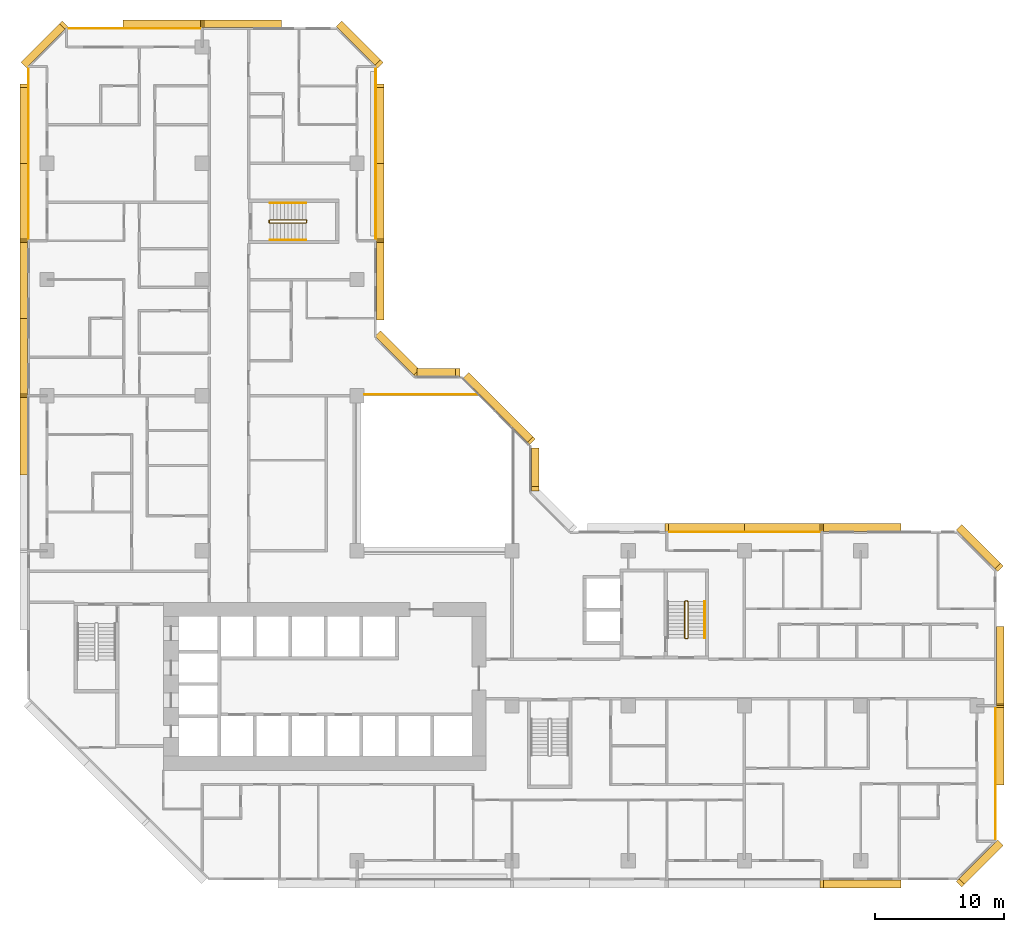
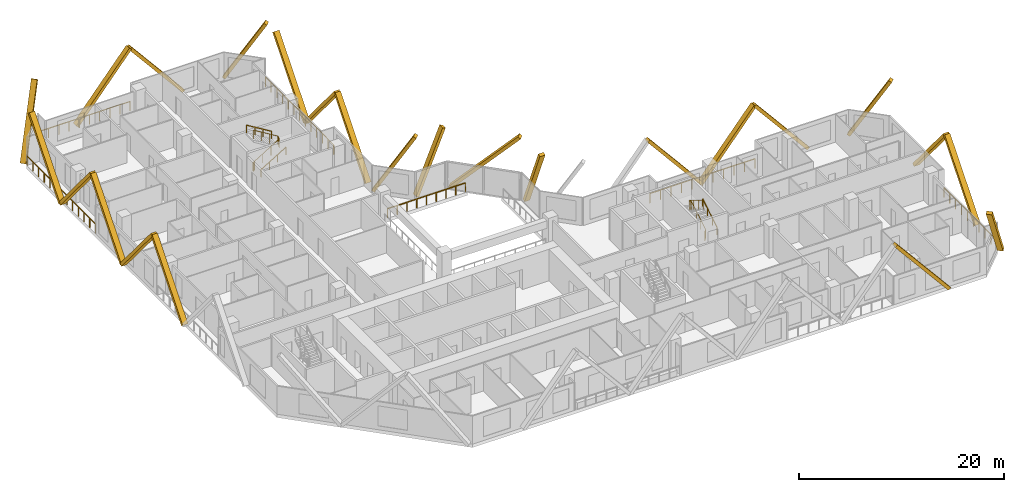
# One storey, part 15 of 15: 24 coverings, 11 railings.
"""IFC4 building model written with IfcOpenShell, lengths in metres."""

from ifc_helpers import new_model, si_unit, direction, frame, origin, origin_2d, place, context, subcontext, project, spatial, rectangle, extrude, material, material_profile, profile_set, type_object, element, save


model = new_model("IFC4")

# Units and contexts
model_context = context("Model", 3, precision=1e-05, world=origin(), true_north=direction((0.0, 1.0)))
body_context = subcontext(model_context, "Body", "Model", "MODEL_VIEW")
ifc_project = project(units=[si_unit("LENGTHUNIT", "METRE"), si_unit("AREAUNIT", "SQUARE_METRE"), si_unit("VOLUMEUNIT", "CUBIC_METRE"), si_unit("PLANEANGLEUNIT", "RADIAN"), si_unit("MASSUNIT", "GRAM", prefix="KILO")], contexts=[model_context])

# Site, building, storey
site_placement = place(None, origin())
site = spatial("IfcSite", under=ifc_project, at=site_placement, CompositionType="ELEMENT")
building_placement = place(site_placement, origin())
building = spatial("IfcBuilding", under=site, at=building_placement, Name="Chenar Terraces", CompositionType="ELEMENT")
storey_placement = place(building_placement, frame((0.0, 0.0, 48.89990234375)))
storey = spatial("IfcBuildingStorey", under=building, at=storey_placement, Name="L09", CompositionType="ELEMENT", Elevation=48.89990234375)

# Railings
ifc_material_1 = material(Name="Powder-coated steel", Category="steel")
railing_type_1 = type_object("IfcRailingType", Name="Guard 1100 steel rail with glass infill", PredefinedType="GUARDRAIL", material=ifc_material_1)
railing_1_placement = place(storey_placement, frame((24.60009765625, 36.10009765625, 0.0)))
element("IfcRailing", 1, at=railing_1_placement, inside=storey, type_object=railing_type_1, Name="Guard L09-2", PredefinedType="GUARDRAIL", context=body_context, shape_type="SweptSolid", body=[
    extrude(rectangle(XDim=0.06005859375, YDim=0.06005859375, at=origin_2d()), frame((0.0, 0.0, 1.070068359375), z_axis=(1.0, 0.0, 0.0), x_axis=(0.0, 1.0, 0.0)), (0.0, 0.0, 1.0), 8.7998046875),
    extrude(rectangle(XDim=0.050048828125, YDim=0.050048828125, at=origin_2d()), origin(), (0.0, 0.0, 1.0), 1.0400390625),
    extrude(rectangle(XDim=0.050048828125, YDim=0.050048828125, at=origin_2d()), frame((1.10009765625, 0.0, 0.0)), (0.0, 0.0, 1.0), 1.0400390625),
    extrude(rectangle(XDim=0.050048828125, YDim=0.050048828125, at=origin_2d()), frame((2.199951171875, 0.0, 0.0)), (0.0, 0.0, 1.0), 1.0400390625),
    extrude(rectangle(XDim=0.050048828125, YDim=0.050048828125, at=origin_2d()), frame((3.2998046875, 0.0, 0.0)), (0.0, 0.0, 1.0), 1.0400390625),
    extrude(rectangle(XDim=0.050048828125, YDim=0.050048828125, at=origin_2d()), frame((4.39990234375, 0.0, 0.0)), (0.0, 0.0, 1.0), 1.0400390625),
    extrude(rectangle(XDim=0.050048828125, YDim=0.050048828125, at=origin_2d()), frame((5.5, 0.0, 0.0)), (0.0, 0.0, 1.0), 1.0400390625),
    extrude(rectangle(XDim=0.050048828125, YDim=0.050048828125, at=origin_2d()), frame((6.599853515625, 0.0, 0.0)), (0.0, 0.0, 1.0), 1.0400390625),
    extrude(rectangle(XDim=0.050048828125, YDim=0.050048828125, at=origin_2d()), frame((7.69970703125, 0.0, 0.0)), (0.0, 0.0, 1.0), 1.0400390625),
    extrude(rectangle(XDim=0.050048828125, YDim=0.050048828125, at=origin_2d()), frame((8.7998046875, 0.0, 0.0)), (0.0, 0.0, 1.0), 1.0400390625),
])
ifc_material_2 = material(Name="Stainless steel and glass", Category="steel")
railing_type_2 = type_object("IfcRailingType", Name="Loggia guard 1150", PredefinedType="GUARDRAIL", material=ifc_material_2)
railing_2_placement = place(storey_placement, frame((25.449951171875, 48.074951171875, 0.0)))
element("IfcRailing", 2, at=railing_2_placement, inside=storey, type_object=railing_type_2, Name="Loggia guard", PredefinedType="GUARDRAIL", context=body_context, shape_type="SweptSolid", body=[
    extrude(rectangle(XDim=0.048095703125, YDim=0.048095703125, at=origin_2d()), frame((0.0, 0.0, 1.1259765625), z_axis=(0.0, 1.0, 0.0), x_axis=(-1.0, 0.0, 0.0)), (0.0, 0.0, 1.0), 13.35009765625),
    extrude(rectangle(XDim=0.0419921875, YDim=0.0419921875, at=origin_2d()), origin(), (0.0, 0.0, 1.0), 1.101806640625),
    extrude(rectangle(XDim=0.0419921875, YDim=0.0419921875, at=origin_2d()), frame((0.0, 1.112548828125, 0.0)), (0.0, 0.0, 1.0), 1.101806640625),
    extrude(rectangle(XDim=0.0419921875, YDim=0.0419921875, at=origin_2d()), frame((0.0, 2.22509765625, 0.0)), (0.0, 0.0, 1.0), 1.101806640625),
    extrude(rectangle(XDim=0.0419921875, YDim=0.0419921875, at=origin_2d()), frame((0.0, 3.33740234375, 0.0)), (0.0, 0.0, 1.0), 1.101806640625),
    extrude(rectangle(XDim=0.0419921875, YDim=0.0419921875, at=origin_2d()), frame((0.0, 4.449951171875, 0.0)), (0.0, 0.0, 1.0), 1.101806640625),
    extrude(rectangle(XDim=0.0419921875, YDim=0.0419921875, at=origin_2d()), frame((0.0, 5.5625, 0.0)), (0.0, 0.0, 1.0), 1.101806640625),
    extrude(rectangle(XDim=0.0419921875, YDim=0.0419921875, at=origin_2d()), frame((0.0, 6.675048828125, 0.0)), (0.0, 0.0, 1.0), 1.101806640625),
    extrude(rectangle(XDim=0.0419921875, YDim=0.0419921875, at=origin_2d()), frame((0.0, 7.78759765625, 0.0)), (0.0, 0.0, 1.0), 1.101806640625),
    extrude(rectangle(XDim=0.0419921875, YDim=0.0419921875, at=origin_2d()), frame((0.0, 8.900146484375, 0.0)), (0.0, 0.0, 1.0), 1.101806640625),
    extrude(rectangle(XDim=0.0419921875, YDim=0.0419921875, at=origin_2d()), frame((0.0, 10.0126953125, 0.0)), (0.0, 0.0, 1.0), 1.101806640625),
    extrude(rectangle(XDim=0.0419921875, YDim=0.0419921875, at=origin_2d()), frame((0.0, 11.125, 0.0)), (0.0, 0.0, 1.0), 1.101806640625),
    extrude(rectangle(XDim=0.0419921875, YDim=0.0419921875, at=origin_2d()), frame((0.0, 12.237548828125, 0.0)), (0.0, 0.0, 1.0), 1.101806640625),
    extrude(rectangle(XDim=0.0419921875, YDim=0.0419921875, at=origin_2d()), frame((0.0, 13.35009765625, 0.0)), (0.0, 0.0, 1.0), 1.101806640625),
])
railing_3_placement = place(storey_placement, frame((73.449951171875, 1.574951171875, 0.0)))
element("IfcRailing", 3, at=railing_3_placement, inside=storey, type_object=railing_type_2, Name="Loggia guard", PredefinedType="GUARDRAIL", context=body_context, shape_type="SweptSolid", body=[
    extrude(rectangle(XDim=0.048095703125, YDim=0.048095703125, at=origin_2d()), frame((0.0, 0.0, 1.1259765625), z_axis=(0.0, 1.0, 0.0), x_axis=(-1.0, 0.0, 0.0)), (0.0, 0.0, 1.0), 10.35009765625),
    extrude(rectangle(XDim=0.0419921875, YDim=0.0419921875, at=origin_2d()), origin(), (0.0, 0.0, 1.0), 1.101806640625),
    extrude(rectangle(XDim=0.0419921875, YDim=0.0419921875, at=origin_2d()), frame((0.0, 1.14990234375, 0.0)), (0.0, 0.0, 1.0), 1.101806640625),
    extrude(rectangle(XDim=0.0419921875, YDim=0.0419921875, at=origin_2d()), frame((0.0, 2.300048828125, 0.0)), (0.0, 0.0, 1.0), 1.101806640625),
    extrude(rectangle(XDim=0.0419921875, YDim=0.0419921875, at=origin_2d()), frame((0.0, 3.449951171875, 0.0)), (0.0, 0.0, 1.0), 1.101806640625),
    extrude(rectangle(XDim=0.0419921875, YDim=0.0419921875, at=origin_2d()), frame((0.0, 4.60009765625, 0.0)), (0.0, 0.0, 1.0), 1.101806640625),
    extrude(rectangle(XDim=0.0419921875, YDim=0.0419921875, at=origin_2d()), frame((0.0, 5.75, 0.0)), (0.0, 0.0, 1.0), 1.101806640625),
    extrude(rectangle(XDim=0.0419921875, YDim=0.0419921875, at=origin_2d()), frame((0.0, 6.900146484375, 0.0)), (0.0, 0.0, 1.0), 1.101806640625),
    extrude(rectangle(XDim=0.0419921875, YDim=0.0419921875, at=origin_2d()), frame((0.0, 8.050048828125, 0.0)), (0.0, 0.0, 1.0), 1.101806640625),
    extrude(rectangle(XDim=0.0419921875, YDim=0.0419921875, at=origin_2d()), frame((0.0, 9.2001953125, 0.0)), (0.0, 0.0, 1.0), 1.101806640625),
    extrude(rectangle(XDim=0.0419921875, YDim=0.0419921875, at=origin_2d()), frame((0.0, 10.35009765625, 0.0)), (0.0, 0.0, 1.0), 1.101806640625),
])
railing_4_placement = place(storey_placement, frame((59.925048828125, 25.449951171875, 0.0)))
element("IfcRailing", 4, at=railing_4_placement, inside=storey, type_object=railing_type_2, Name="Loggia guard", PredefinedType="GUARDRAIL", context=body_context, shape_type="SweptSolid", body=[
    extrude(rectangle(XDim=0.048095703125, YDim=0.048095703125, at=origin_2d()), frame((0.0, 0.0, 1.1259765625), z_axis=(-1.0, 0.0, 0.0), x_axis=(0.0, -1.0, 0.0)), (0.0, 0.0, 1.0), 11.85009765625),
    extrude(rectangle(XDim=0.0419921875, YDim=0.0419921875, at=origin_2d()), origin(), (0.0, 0.0, 1.0), 1.101806640625),
    extrude(rectangle(XDim=0.0419921875, YDim=0.0419921875, at=origin_2d()), frame((-1.18505859375, 0.0, 0.0)), (0.0, 0.0, 1.0), 1.101806640625),
    extrude(rectangle(XDim=0.0419921875, YDim=0.0419921875, at=origin_2d()), frame((-2.3701171875, 0.0, 0.0)), (0.0, 0.0, 1.0), 1.101806640625),
    extrude(rectangle(XDim=0.0419921875, YDim=0.0419921875, at=origin_2d()), frame((-3.554931640625, 0.0, 0.0)), (0.0, 0.0, 1.0), 1.101806640625),
    extrude(rectangle(XDim=0.0419921875, YDim=0.0419921875, at=origin_2d()), frame((-4.739990234375, 0.0, 0.0)), (0.0, 0.0, 1.0), 1.101806640625),
    extrude(rectangle(XDim=0.0419921875, YDim=0.0419921875, at=origin_2d()), frame((-5.925048828125, 0.0, 0.0)), (0.0, 0.0, 1.0), 1.101806640625),
    extrude(rectangle(XDim=0.0419921875, YDim=0.0419921875, at=origin_2d()), frame((-7.110107421875, 0.0, 0.0)), (0.0, 0.0, 1.0), 1.101806640625),
    extrude(rectangle(XDim=0.0419921875, YDim=0.0419921875, at=origin_2d()), frame((-8.295166015625, 0.0, 0.0)), (0.0, 0.0, 1.0), 1.101806640625),
    extrude(rectangle(XDim=0.0419921875, YDim=0.0419921875, at=origin_2d()), frame((-9.47998046875, 0.0, 0.0)), (0.0, 0.0, 1.0), 1.101806640625),
    extrude(rectangle(XDim=0.0419921875, YDim=0.0419921875, at=origin_2d()), frame((-10.6650390625, 0.0, 0.0)), (0.0, 0.0, 1.0), 1.101806640625),
    extrude(rectangle(XDim=0.0419921875, YDim=0.0419921875, at=origin_2d()), frame((-11.85009765625, 0.0, 0.0)), (0.0, 0.0, 1.0), 1.101806640625),
])
railing_5_placement = place(storey_placement, frame((11.925048828125, 64.449951171875, 0.0)))
element("IfcRailing", 5, at=railing_5_placement, inside=storey, type_object=railing_type_2, Name="Loggia guard", PredefinedType="GUARDRAIL", context=body_context, shape_type="SweptSolid", body=[
    extrude(rectangle(XDim=0.048095703125, YDim=0.048095703125, at=origin_2d()), frame((0.0, 0.0, 1.1259765625), z_axis=(-1.0, 0.0, 0.0), x_axis=(0.0, -1.0, 0.0)), (0.0, 0.0, 1.0), 10.35009765625),
    extrude(rectangle(XDim=0.0419921875, YDim=0.0419921875, at=origin_2d()), origin(), (0.0, 0.0, 1.0), 1.101806640625),
    extrude(rectangle(XDim=0.0419921875, YDim=0.0419921875, at=origin_2d()), frame((-1.14990234375, 0.0, 0.0)), (0.0, 0.0, 1.0), 1.101806640625),
    extrude(rectangle(XDim=0.0419921875, YDim=0.0419921875, at=origin_2d()), frame((-2.300048828125, 0.0, 0.0)), (0.0, 0.0, 1.0), 1.101806640625),
    extrude(rectangle(XDim=0.0419921875, YDim=0.0419921875, at=origin_2d()), frame((-3.449951171875, 0.0, 0.0)), (0.0, 0.0, 1.0), 1.101806640625),
    extrude(rectangle(XDim=0.0419921875, YDim=0.0419921875, at=origin_2d()), frame((-4.60009765625, 0.0, 0.0)), (0.0, 0.0, 1.0), 1.101806640625),
    extrude(rectangle(XDim=0.0419921875, YDim=0.0419921875, at=origin_2d()), frame((-5.75, 0.0, 0.0)), (0.0, 0.0, 1.0), 1.101806640625),
    extrude(rectangle(XDim=0.0419921875, YDim=0.0419921875, at=origin_2d()), frame((-6.900146484375, 0.0, 0.0)), (0.0, 0.0, 1.0), 1.101806640625),
    extrude(rectangle(XDim=0.0419921875, YDim=0.0419921875, at=origin_2d()), frame((-8.050048828125, 0.0, 0.0)), (0.0, 0.0, 1.0), 1.101806640625),
    extrude(rectangle(XDim=0.0419921875, YDim=0.0419921875, at=origin_2d()), frame((-9.2001953125, 0.0, 0.0)), (0.0, 0.0, 1.0), 1.101806640625),
    extrude(rectangle(XDim=0.0419921875, YDim=0.0419921875, at=origin_2d()), frame((-10.35009765625, 0.0, 0.0)), (0.0, 0.0, 1.0), 1.101806640625),
])
railing_6_placement = place(storey_placement, frame((-1.449951171875, 61.425048828125, 0.0)))
element("IfcRailing", 6, at=railing_6_placement, inside=storey, type_object=railing_type_2, Name="Loggia guard", PredefinedType="GUARDRAIL", context=body_context, shape_type="SweptSolid", body=[
    extrude(rectangle(XDim=0.048095703125, YDim=0.048095703125, at=origin_2d()), frame((0.0, 0.0, 1.1259765625), z_axis=(0.0, -1.0, 0.0), x_axis=(1.0, 0.0, 0.0)), (0.0, 0.0, 1.0), 13.35009765625),
    extrude(rectangle(XDim=0.0419921875, YDim=0.0419921875, at=origin_2d()), origin(), (0.0, 0.0, 1.0), 1.101806640625),
    extrude(rectangle(XDim=0.0419921875, YDim=0.0419921875, at=origin_2d()), frame((0.0, -1.112548828125, 0.0)), (0.0, 0.0, 1.0), 1.101806640625),
    extrude(rectangle(XDim=0.0419921875, YDim=0.0419921875, at=origin_2d()), frame((0.0, -2.22509765625, 0.0)), (0.0, 0.0, 1.0), 1.101806640625),
    extrude(rectangle(XDim=0.0419921875, YDim=0.0419921875, at=origin_2d()), frame((0.0, -3.33740234375, 0.0)), (0.0, 0.0, 1.0), 1.101806640625),
    extrude(rectangle(XDim=0.0419921875, YDim=0.0419921875, at=origin_2d()), frame((0.0, -4.449951171875, 0.0)), (0.0, 0.0, 1.0), 1.101806640625),
    extrude(rectangle(XDim=0.0419921875, YDim=0.0419921875, at=origin_2d()), frame((0.0, -5.5625, 0.0)), (0.0, 0.0, 1.0), 1.101806640625),
    extrude(rectangle(XDim=0.0419921875, YDim=0.0419921875, at=origin_2d()), frame((0.0, -6.675048828125, 0.0)), (0.0, 0.0, 1.0), 1.101806640625),
    extrude(rectangle(XDim=0.0419921875, YDim=0.0419921875, at=origin_2d()), frame((0.0, -7.78759765625, 0.0)), (0.0, 0.0, 1.0), 1.101806640625),
    extrude(rectangle(XDim=0.0419921875, YDim=0.0419921875, at=origin_2d()), frame((0.0, -8.900146484375, 0.0)), (0.0, 0.0, 1.0), 1.101806640625),
    extrude(rectangle(XDim=0.0419921875, YDim=0.0419921875, at=origin_2d()), frame((0.0, -10.0126953125, 0.0)), (0.0, 0.0, 1.0), 1.101806640625),
    extrude(rectangle(XDim=0.0419921875, YDim=0.0419921875, at=origin_2d()), frame((0.0, -11.125, 0.0)), (0.0, 0.0, 1.0), 1.101806640625),
    extrude(rectangle(XDim=0.0419921875, YDim=0.0419921875, at=origin_2d()), frame((0.0, -12.237548828125, 0.0)), (0.0, 0.0, 1.0), 1.101806640625),
    extrude(rectangle(XDim=0.0419921875, YDim=0.0419921875, at=origin_2d()), frame((0.0, -13.35009765625, 0.0)), (0.0, 0.0, 1.0), 1.101806640625),
])
ifc_material_3 = material(Name="Powder-coated steel", Category="steel")
railing_type_3 = type_object("IfcRailingType", Name="Stair guard 1100", PredefinedType="GUARDRAIL", material=ifc_material_3)
railing_7_placement = place(storey_placement, frame((49.375, 17.25, 3.75)))
element("IfcRailing", 7, at=railing_7_placement, inside=storey, type_object=railing_type_3, Name="L09 ST3 stair guard 1", PredefinedType="GUARDRAIL", context=body_context, shape_type="SweptSolid", body=[
    extrude(rectangle(XDim=0.048095703125, YDim=0.048095703125, at=origin_2d()), frame((0.0, 0.0, 1.076171875), z_axis=(0.0, 0.854202870247, -0.519939858505), x_axis=(-1.0, 0.0, 0.0)), (0.0, 0.0, 1.0), 3.278076171875),
    extrude(rectangle(XDim=0.048095703125, YDim=0.048095703125, at=origin_2d()), frame((0.0, 2.800048828125, -0.62841796875), z_axis=(0.270899902878, 0.270899902878, -0.923702595667), x_axis=(-0.707106781187, 0.707106781187, 0.0)), (0.0, 0.0, 1.0), 0.184814453125),
    extrude(rectangle(XDim=0.048095703125, YDim=0.048095703125, at=origin_2d()), frame((0.050048828125, 2.85009765625, -0.798828125), z_axis=(1.0, 0.0, 0.0), x_axis=(0.0, 1.0, 0.0)), (0.0, 0.0, 1.0), 0.14990234375),
    extrude(rectangle(XDim=0.048095703125, YDim=0.048095703125, at=origin_2d()), frame((0.199951171875, 2.85009765625, -0.798828125), z_axis=(0.707106781187, -0.707106781187, 0.0), x_axis=(0.707106781187, 0.707106781187, 0.0)), (0.0, 0.0, 1.0), 0.07080078125),
    extrude(rectangle(XDim=0.048095703125, YDim=0.048095703125, at=origin_2d()), frame((0.25, 2.800048828125, -0.798828125), z_axis=(0.0, -0.854202870247, -0.519939858505), x_axis=(1.0, 0.0, 0.0)), (0.0, 0.0, 1.0), 3.278076171875),
    extrude(rectangle(XDim=0.048095703125, YDim=0.048095703125, at=origin_2d()), frame((0.25, 0.0, -2.50341796875), z_axis=(-0.270899902878, -0.270899902878, -0.923702595667), x_axis=(0.707106781187, -0.707106781187, 0.0)), (0.0, 0.0, 1.0), 0.184814453125),
    extrude(rectangle(XDim=0.048095703125, YDim=0.048095703125, at=origin_2d()), frame((0.199951171875, -0.050048828125, -2.673828125), z_axis=(-1.0, 0.0, 0.0), x_axis=(0.0, -1.0, 0.0)), (0.0, 0.0, 1.0), 0.14990234375),
    extrude(rectangle(XDim=0.0419921875, YDim=0.0419921875, at=origin_2d()), origin(), (0.0, 0.0, 1.0), 1.052001953125),
    extrude(rectangle(XDim=0.0419921875, YDim=0.0419921875, at=origin_2d()), frame((0.0, 0.933349609375, -0.568115234375)), (0.0, 0.0, 1.0), 1.052001953125),
    extrude(rectangle(XDim=0.0419921875, YDim=0.0419921875, at=origin_2d()), frame((0.0, 1.86669921875, -1.13623046875)), (0.0, 0.0, 1.0), 1.052001953125),
    extrude(rectangle(XDim=0.0419921875, YDim=0.0419921875, at=origin_2d()), frame((0.0, 2.800048828125, -1.704345703125)), (0.0, 0.0, 1.0), 1.052001953125),
    extrude(rectangle(XDim=0.0419921875, YDim=0.0419921875, at=origin_2d()), frame((0.050048828125, 2.85009765625, -1.875)), (0.0, 0.0, 1.0), 1.052001953125),
    extrude(rectangle(XDim=0.0419921875, YDim=0.0419921875, at=origin_2d()), frame((0.199951171875, 2.85009765625, -1.875)), (0.0, 0.0, 1.0), 1.052001953125),
    extrude(rectangle(XDim=0.0419921875, YDim=0.0419921875, at=origin_2d()), frame((0.25, 2.800048828125, -1.875)), (0.0, 0.0, 1.0), 1.052001953125),
    extrude(rectangle(XDim=0.0419921875, YDim=0.0419921875, at=origin_2d()), frame((0.25, 1.86669921875, -2.443115234375)), (0.0, 0.0, 1.0), 1.052001953125),
    extrude(rectangle(XDim=0.0419921875, YDim=0.0419921875, at=origin_2d()), frame((0.25, 0.933349609375, -3.01123046875)), (0.0, 0.0, 1.0), 1.052001953125),
    extrude(rectangle(XDim=0.0419921875, YDim=0.0419921875, at=origin_2d()), frame((0.25, 0.0, -3.579345703125)), (0.0, 0.0, 1.0), 1.052001953125),
    extrude(rectangle(XDim=0.0419921875, YDim=0.0419921875, at=origin_2d()), frame((0.199951171875, -0.050048828125, -3.75)), (0.0, 0.0, 1.0), 1.052001953125),
    extrude(rectangle(XDim=0.0419921875, YDim=0.0419921875, at=origin_2d()), frame((0.050048828125, -0.050048828125, -3.75)), (0.0, 0.0, 1.0), 1.052001953125),
])
railing_8_placement = place(storey_placement, frame((17.25, 49.625, 3.75)))
element("IfcRailing", 8, at=railing_8_placement, inside=storey, type_object=railing_type_3, Name="L09 ST4 stair guard 1", PredefinedType="GUARDRAIL", context=body_context, shape_type="SweptSolid", body=[
    extrude(rectangle(XDim=0.048095703125, YDim=0.048095703125, at=origin_2d()), frame((0.0, 0.0, 1.076171875), z_axis=(0.854202870247, 0.0, -0.519939858505), x_axis=(0.0, 1.0, 0.0)), (0.0, 0.0, 1.0), 3.278076171875),
    extrude(rectangle(XDim=0.048095703125, YDim=0.048095703125, at=origin_2d()), frame((2.800048828125, 0.0, -0.62841796875), z_axis=(0.270899902878, -0.270899902878, -0.923702595667), x_axis=(0.707106781187, 0.707106781187, 0.0)), (0.0, 0.0, 1.0), 0.184814453125),
    extrude(rectangle(XDim=0.048095703125, YDim=0.048095703125, at=origin_2d()), frame((2.85009765625, -0.050048828125, -0.798828125), z_axis=(0.0, -1.0, 0.0), x_axis=(1.0, 0.0, 0.0)), (0.0, 0.0, 1.0), 0.14990234375),
    extrude(rectangle(XDim=0.048095703125, YDim=0.048095703125, at=origin_2d()), frame((2.85009765625, -0.199951171875, -0.798828125), z_axis=(-0.707106781187, -0.707106781187, 0.0), x_axis=(0.707106781187, -0.707106781187, 0.0)), (0.0, 0.0, 1.0), 0.07080078125),
    extrude(rectangle(XDim=0.048095703125, YDim=0.048095703125, at=origin_2d()), frame((2.800048828125, -0.25, -0.798828125), z_axis=(-0.854202870247, 0.0, -0.519939858505), x_axis=(0.0, -1.0, 0.0)), (0.0, 0.0, 1.0), 3.278076171875),
    extrude(rectangle(XDim=0.048095703125, YDim=0.048095703125, at=origin_2d()), frame((0.0, -0.25, -2.50341796875), z_axis=(-0.270899902878, 0.270899902878, -0.923702595667), x_axis=(-0.707106781187, -0.707106781187, 0.0)), (0.0, 0.0, 1.0), 0.184814453125),
    extrude(rectangle(XDim=0.048095703125, YDim=0.048095703125, at=origin_2d()), frame((-0.050048828125, -0.199951171875, -2.673828125), z_axis=(0.0, 1.0, 0.0), x_axis=(-1.0, 0.0, 0.0)), (0.0, 0.0, 1.0), 0.14990234375),
    extrude(rectangle(XDim=0.0419921875, YDim=0.0419921875, at=origin_2d()), origin(), (0.0, 0.0, 1.0), 1.052001953125),
    extrude(rectangle(XDim=0.0419921875, YDim=0.0419921875, at=origin_2d()), frame((0.933349609375, 0.0, -0.568115234375)), (0.0, 0.0, 1.0), 1.052001953125),
    extrude(rectangle(XDim=0.0419921875, YDim=0.0419921875, at=origin_2d()), frame((1.86669921875, 0.0, -1.13623046875)), (0.0, 0.0, 1.0), 1.052001953125),
    extrude(rectangle(XDim=0.0419921875, YDim=0.0419921875, at=origin_2d()), frame((2.800048828125, 0.0, -1.704345703125)), (0.0, 0.0, 1.0), 1.052001953125),
    extrude(rectangle(XDim=0.0419921875, YDim=0.0419921875, at=origin_2d()), frame((2.85009765625, -0.050048828125, -1.875)), (0.0, 0.0, 1.0), 1.052001953125),
    extrude(rectangle(XDim=0.0419921875, YDim=0.0419921875, at=origin_2d()), frame((2.85009765625, -0.199951171875, -1.875)), (0.0, 0.0, 1.0), 1.052001953125),
    extrude(rectangle(XDim=0.0419921875, YDim=0.0419921875, at=origin_2d()), frame((2.800048828125, -0.25, -1.875)), (0.0, 0.0, 1.0), 1.052001953125),
    extrude(rectangle(XDim=0.0419921875, YDim=0.0419921875, at=origin_2d()), frame((1.86669921875, -0.25, -2.443115234375)), (0.0, 0.0, 1.0), 1.052001953125),
    extrude(rectangle(XDim=0.0419921875, YDim=0.0419921875, at=origin_2d()), frame((0.933349609375, -0.25, -3.01123046875)), (0.0, 0.0, 1.0), 1.052001953125),
    extrude(rectangle(XDim=0.0419921875, YDim=0.0419921875, at=origin_2d()), frame((0.0, -0.25, -3.579345703125)), (0.0, 0.0, 1.0), 1.052001953125),
    extrude(rectangle(XDim=0.0419921875, YDim=0.0419921875, at=origin_2d()), frame((-0.050048828125, -0.199951171875, -3.75)), (0.0, 0.0, 1.0), 1.052001953125),
    extrude(rectangle(XDim=0.0419921875, YDim=0.0419921875, at=origin_2d()), frame((-0.050048828125, -0.050048828125, -3.75)), (0.0, 0.0, 1.0), 1.052001953125),
])
ifc_material_4 = material(Name="Powder-coated steel", Category="steel")
railing_type_4 = type_object("IfcRailingType", Name="Stair handrail 900", PredefinedType="HANDRAIL", material=ifc_material_4)
railing_9_placement = place(storey_placement, frame((50.925048828125, 17.25, 0.170654296875)))
element("IfcRailing", 9, at=railing_9_placement, inside=storey, type_object=railing_type_4, Name="L09 ST3 stair handrail 1", PredefinedType="HANDRAIL", context=body_context, shape_type="SweptSolid", body=[
    extrude(rectangle(XDim=0.048095703125, YDim=0.048095703125, at=origin_2d()), frame((0.0, 0.0, 0.8759765625), z_axis=(0.0, 0.854202870247, 0.519939858505), x_axis=(-1.0, 0.0, 0.0)), (0.0, 0.0, 1.0), 3.278076171875),
    extrude(rectangle(XDim=0.0419921875, YDim=0.0419921875, at=origin_2d()), origin(), (0.0, 0.0, 1.0), 0.851806640625),
    extrude(rectangle(XDim=0.0419921875, YDim=0.0419921875, at=origin_2d()), frame((0.0, 0.933349609375, 0.568115234375)), (0.0, 0.0, 1.0), 0.851806640625),
    extrude(rectangle(XDim=0.0419921875, YDim=0.0419921875, at=origin_2d()), frame((0.0, 1.86669921875, 1.13623046875)), (0.0, 0.0, 1.0), 0.851806640625),
    extrude(rectangle(XDim=0.0419921875, YDim=0.0419921875, at=origin_2d()), frame((0.0, 2.800048828125, 1.704345703125)), (0.0, 0.0, 1.0), 0.851806640625),
])
railing_10_placement = place(storey_placement, frame((17.25, 48.074951171875, 0.170654296875)))
element("IfcRailing", 10, at=railing_10_placement, inside=storey, type_object=railing_type_4, Name="L09 ST4 stair handrail 1", PredefinedType="HANDRAIL", context=body_context, shape_type="SweptSolid", body=[
    extrude(rectangle(XDim=0.048095703125, YDim=0.048095703125, at=origin_2d()), frame((0.0, 0.0, 0.8759765625), z_axis=(0.854202870247, 0.0, 0.519939858505), x_axis=(0.0, 1.0, 0.0)), (0.0, 0.0, 1.0), 3.278076171875),
    extrude(rectangle(XDim=0.0419921875, YDim=0.0419921875, at=origin_2d()), origin(), (0.0, 0.0, 1.0), 0.851806640625),
    extrude(rectangle(XDim=0.0419921875, YDim=0.0419921875, at=origin_2d()), frame((0.933349609375, 0.0, 0.568115234375)), (0.0, 0.0, 1.0), 0.851806640625),
    extrude(rectangle(XDim=0.0419921875, YDim=0.0419921875, at=origin_2d()), frame((1.86669921875, 0.0, 1.13623046875)), (0.0, 0.0, 1.0), 0.851806640625),
    extrude(rectangle(XDim=0.0419921875, YDim=0.0419921875, at=origin_2d()), frame((2.800048828125, 0.0, 1.704345703125)), (0.0, 0.0, 1.0), 0.851806640625),
])
railing_11_placement = place(storey_placement, frame((20.050048828125, 50.925048828125, 2.045654296875)))
element("IfcRailing", 11, at=railing_11_placement, inside=storey, type_object=railing_type_4, Name="L09 ST4 stair handrail 2", PredefinedType="HANDRAIL", context=body_context, shape_type="SweptSolid", body=[
    extrude(rectangle(XDim=0.048095703125, YDim=0.048095703125, at=origin_2d()), frame((0.0, 0.0, 0.8759765625), z_axis=(-0.854202870247, 0.0, 0.519939858505), x_axis=(0.0, -1.0, 0.0)), (0.0, 0.0, 1.0), 3.278076171875),
    extrude(rectangle(XDim=0.0419921875, YDim=0.0419921875, at=origin_2d()), origin(), (0.0, 0.0, 1.0), 0.851806640625),
    extrude(rectangle(XDim=0.0419921875, YDim=0.0419921875, at=origin_2d()), frame((-0.933349609375, 0.0, 0.568115234375)), (0.0, 0.0, 1.0), 0.851806640625),
    extrude(rectangle(XDim=0.0419921875, YDim=0.0419921875, at=origin_2d()), frame((-1.86669921875, 0.0, 1.13623046875)), (0.0, 0.0, 1.0), 0.851806640625),
    extrude(rectangle(XDim=0.0419921875, YDim=0.0419921875, at=origin_2d()), frame((-2.800048828125, 0.0, 1.704345703125)), (0.0, 0.0, 1.0), 0.851806640625),
])

# Coverings
ifc_material_5 = material(Name="Terracotta", Category="masonry")
ifc_material_profile = material_profile(ifc_material_5, rectangle(XDim=0.60009765625, YDim=0.35009765625, at=origin_2d()), Name="Terracotta baguette 600 x 350")
ifc_profile_set = profile_set([ifc_material_profile], Name="Terracotta")
covering_type = type_object("IfcCoveringType", Name="Terracotta baguette 600 x 350", PredefinedType="CLADDING", material=ifc_profile_set)
for number, where, z_axis, x_axis, name in (
    (12, (66.0, 25.800048828125, 0.150146484375), (-0.640186961885, 0.0, 0.768219144407), (0.0, -1.0, 0.0), "Terracotta baguette"),
    (13, (60.0, 25.800048828125, 7.35009765625), (-0.640186961885, 0.0, -0.768219144407), (0.0, -1.0, 0.0), "Terracotta baguette"),
    (14, (54.0, 25.800048828125, 0.150146484375), (-0.640186961885, 0.0, 0.768219144407), (0.0, -1.0, 0.0), "Terracotta baguette"),
):
    element("IfcCovering", number, at=place(storey_placement, frame(where, z_axis=z_axis, x_axis=x_axis)), inside=storey, type_object=covering_type, Name=name, PredefinedType="CLADDING", context=body_context, shape_type="SweptSolid", body=[
        extrude(rectangle(XDim=0.60009765625, YDim=0.35009765625, at=origin_2d()), origin(), (0.0, 0.0, 1.0), 9.372314453125),
    ])
covering_1_placement = place(storey_placement, frame((37.800048828125, 28.800048828125, 7.35009765625), z_axis=(0.0, 0.384617607118, -0.923075997031), x_axis=(-1.0, 0.0, 0.0)))
element("IfcCovering", 15, at=covering_1_placement, inside=storey, type_object=covering_type, Name="Terracotta baguette", PredefinedType="CLADDING", context=body_context, shape_type="SweptSolid", body=[
    extrude(rectangle(XDim=0.60009765625, YDim=0.35009765625, at=origin_2d()), origin(), (0.0, 0.0, 1.0), 7.800048828125),
])
covering_2_placement = place(storey_placement, frame((37.5, 32.524169921875, 7.35009765625), z_axis=(-0.494240720479, 0.494240720479, -0.715158877761), x_axis=(-0.707106781187, -0.707106781187, 0.0)))
element("IfcCovering", 16, at=covering_2_placement, inside=storey, type_object=covering_type, Name="Terracotta baguette", PredefinedType="CLADDING", context=body_context, shape_type="SweptSolid", body=[
    extrude(rectangle(XDim=0.60009765625, YDim=0.35009765625, at=origin_2d()), origin(), (0.0, 0.0, 1.0), 10.067626953125),
])
covering_3_placement = place(storey_placement, frame((31.800048828125, 37.800048828125, 7.35009765625), z_axis=(-0.384617607118, 0.0, -0.923075997031), x_axis=(0.0, -1.0, 0.0)))
element("IfcCovering", 17, at=covering_3_placement, inside=storey, type_object=covering_type, Name="Terracotta baguette", PredefinedType="CLADDING", context=body_context, shape_type="SweptSolid", body=[
    extrude(rectangle(XDim=0.60009765625, YDim=0.35009765625, at=origin_2d()), origin(), (0.0, 0.0, 1.0), 7.800048828125),
])
covering_4_placement = place(storey_placement, frame((28.712158203125, 37.712158203125, 7.35009765625), z_axis=(-0.358980886355, 0.358980886355, -0.861548284464), x_axis=(-0.707106781187, -0.707106781187, 0.0)))
element("IfcCovering", 18, at=covering_4_placement, inside=storey, type_object=covering_type, Name="Terracotta baguette", PredefinedType="CLADDING", context=body_context, shape_type="SweptSolid", body=[
    extrude(rectangle(XDim=0.60009765625, YDim=0.35009765625, at=origin_2d()), origin(), (0.0, 0.0, 1.0), 8.35693359375),
])
for number, where, z_axis, x_axis, name in (
    (19, (25.800048828125, 42.0, 0.150146484375), (0.0, 0.640186961885, 0.768219144407), (-1.0, 0.0, 0.0), "Terracotta baguette"),
    (20, (25.800048828125, 48.0, 7.35009765625), (0.0, 0.640186961885, -0.768219144407), (-1.0, 0.0, 0.0), "Terracotta baguette"),
    (21, (25.800048828125, 54.0, 0.150146484375), (0.0, 0.640186961885, 0.768219144407), (-1.0, 0.0, 0.0), "Terracotta baguette"),
):
    element("IfcCovering", number, at=place(storey_placement, frame(where, z_axis=z_axis, x_axis=x_axis)), inside=storey, type_object=covering_type, Name=name, PredefinedType="CLADDING", context=body_context, shape_type="SweptSolid", body=[
        extrude(rectangle(XDim=0.60009765625, YDim=0.35009765625, at=origin_2d()), origin(), (0.0, 0.0, 1.0), 9.372314453125),
    ])
covering_5_placement = place(storey_placement, frame((25.712158203125, 61.712158203125, 7.35009765625), z_axis=(-0.358980886355, 0.358980886355, -0.861548284464), x_axis=(-0.707106781187, -0.707106781187, 0.0)))
element("IfcCovering", 22, at=covering_5_placement, inside=storey, type_object=covering_type, Name="Terracotta baguette", PredefinedType="CLADDING", context=body_context, shape_type="SweptSolid", body=[
    extrude(rectangle(XDim=0.60009765625, YDim=0.35009765625, at=origin_2d()), origin(), (0.0, 0.0, 1.0), 8.35693359375),
])
for number, where, z_axis, x_axis, name in (
    (23, (18.0, 64.800048828125, 0.150146484375), (-0.640186961885, 0.0, 0.768219144407), (0.0, -1.0, 0.0), "Terracotta baguette"),
    (24, (12.0, 64.800048828125, 7.35009765625), (-0.640186961885, 0.0, -0.768219144407), (0.0, -1.0, 0.0), "Terracotta baguette"),
):
    element("IfcCovering", number, at=place(storey_placement, frame(where, z_axis=z_axis, x_axis=x_axis)), inside=storey, type_object=covering_type, Name=name, PredefinedType="CLADDING", context=body_context, shape_type="SweptSolid", body=[
        extrude(rectangle(XDim=0.60009765625, YDim=0.35009765625, at=origin_2d()), origin(), (0.0, 0.0, 1.0), 9.372314453125),
    ])
covering_6_placement = place(storey_placement, frame((1.287841796875, 64.712158203125, 7.35009765625), z_axis=(-0.358980886355, -0.358980886355, -0.861548284464), x_axis=(0.707106781187, -0.707106781187, 0.0)))
element("IfcCovering", 25, at=covering_6_placement, inside=storey, type_object=covering_type, Name="Terracotta baguette", PredefinedType="CLADDING", context=body_context, shape_type="SweptSolid", body=[
    extrude(rectangle(XDim=0.60009765625, YDim=0.35009765625, at=origin_2d()), origin(), (0.0, 0.0, 1.0), 8.35693359375),
])
for number, where, z_axis, x_axis, name in (
    (26, (-1.800048828125, 60.0, 7.35009765625), (0.0, -0.640186961885, -0.768219144407), (1.0, 0.0, 0.0), "Terracotta baguette"),
    (27, (-1.800048828125, 54.0, 0.150146484375), (0.0, -0.640186961885, 0.768219144407), (1.0, 0.0, 0.0), "Terracotta baguette"),
    (28, (-1.800048828125, 48.0, 7.35009765625), (0.0, -0.640186961885, -0.768219144407), (1.0, 0.0, 0.0), "Terracotta baguette"),
    (29, (-1.800048828125, 42.0, 0.150146484375), (0.0, -0.640186961885, 0.768219144407), (1.0, 0.0, 0.0), "Terracotta baguette"),
    (30, (-1.800048828125, 36.0, 7.35009765625), (0.0, -0.640186961885, -0.768219144407), (1.0, 0.0, 0.0), "Terracotta baguette"),
    (31, (60.0, -1.800048828125, 7.35009765625), (0.640186961885, 0.0, -0.768219144407), (0.0, 1.0, 0.0), "Terracotta baguette"),
):
    element("IfcCovering", number, at=place(storey_placement, frame(where, z_axis=z_axis, x_axis=x_axis)), inside=storey, type_object=covering_type, Name=name, PredefinedType="CLADDING", context=body_context, shape_type="SweptSolid", body=[
        extrude(rectangle(XDim=0.60009765625, YDim=0.35009765625, at=origin_2d()), origin(), (0.0, 0.0, 1.0), 9.372314453125),
    ])
covering_7_placement = place(storey_placement, frame((70.712158203125, -1.712158203125, 7.35009765625), z_axis=(0.358980886355, 0.358980886355, -0.861548284464), x_axis=(-0.707106781187, 0.707106781187, 0.0)))
element("IfcCovering", 32, at=covering_7_placement, inside=storey, type_object=covering_type, Name="Terracotta baguette", PredefinedType="CLADDING", context=body_context, shape_type="SweptSolid", body=[
    extrude(rectangle(XDim=0.60009765625, YDim=0.35009765625, at=origin_2d()), origin(), (0.0, 0.0, 1.0), 8.35693359375),
])
for number, where, z_axis, x_axis, name in (
    (33, (73.800048828125, 6.0, 0.150146484375), (0.0, 0.640186961885, 0.768219144407), (-1.0, 0.0, 0.0), "Terracotta baguette"),
    (34, (73.800048828125, 12.0, 7.35009765625), (0.0, 0.640186961885, -0.768219144407), (-1.0, 0.0, 0.0), "Terracotta baguette"),
):
    element("IfcCovering", number, at=place(storey_placement, frame(where, z_axis=z_axis, x_axis=x_axis)), inside=storey, type_object=covering_type, Name=name, PredefinedType="CLADDING", context=body_context, shape_type="SweptSolid", body=[
        extrude(rectangle(XDim=0.60009765625, YDim=0.35009765625, at=origin_2d()), origin(), (0.0, 0.0, 1.0), 9.372314453125),
    ])
covering_8_placement = place(storey_placement, frame((73.712158203125, 22.712158203125, 7.35009765625), z_axis=(-0.358980886355, 0.358980886355, -0.861548284464), x_axis=(-0.707106781187, -0.707106781187, 0.0)))
element("IfcCovering", 35, at=covering_8_placement, inside=storey, type_object=covering_type, Name="Terracotta baguette", PredefinedType="CLADDING", context=body_context, shape_type="SweptSolid", body=[
    extrude(rectangle(XDim=0.60009765625, YDim=0.35009765625, at=origin_2d()), origin(), (0.0, 0.0, 1.0), 8.35693359375),
])

save(model, "model.ifc")
